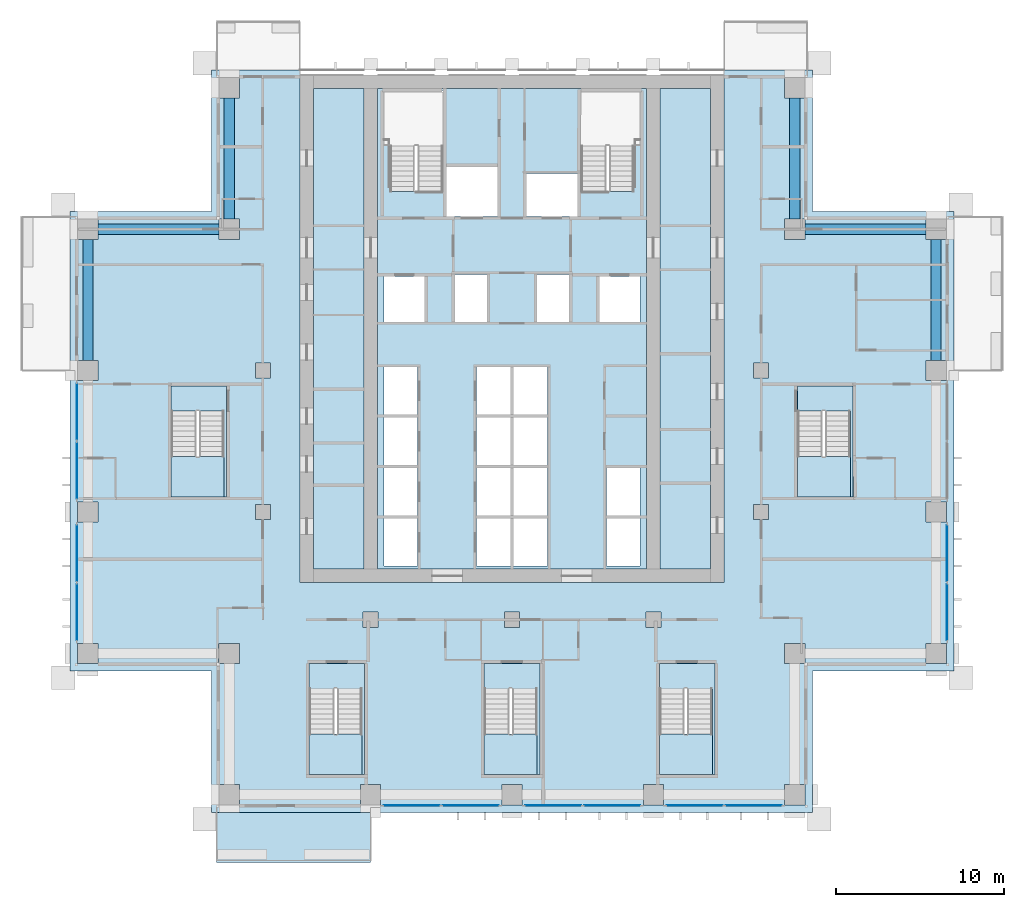
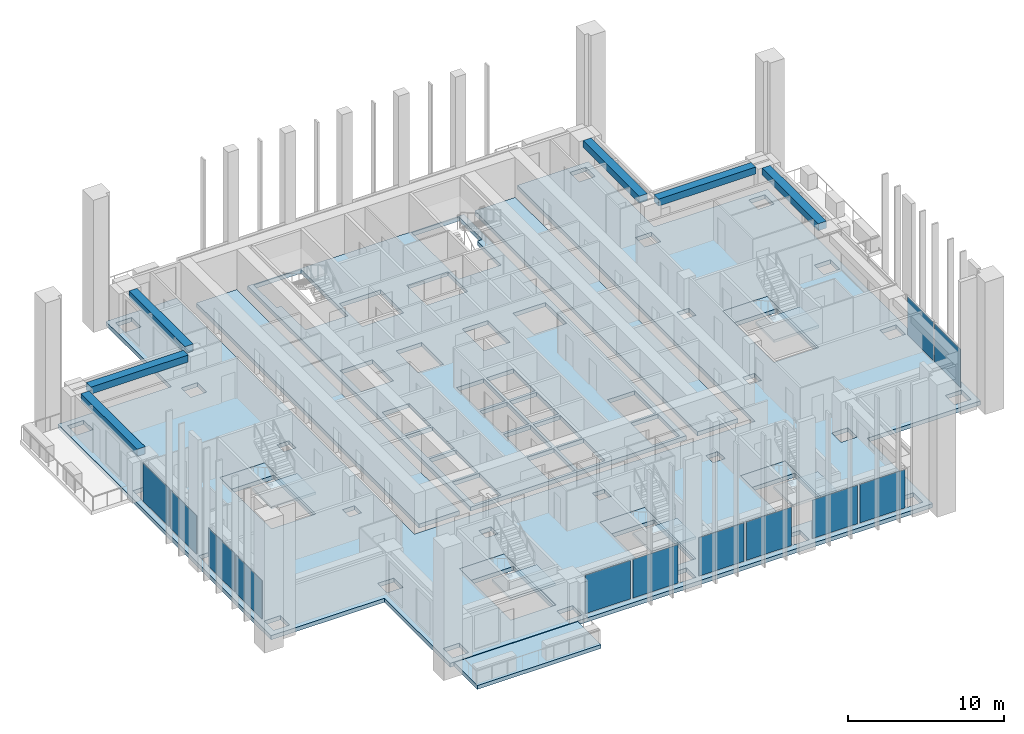
# One storey, part 5 of 18: 15 slabs, 12 plates, 6 beams, 11 elements without a shape of their own.
"""IFC4 building model written with IfcOpenShell, lengths in metres."""

from ifc_helpers import new_model, si_unit, direction, frame, origin, origin_2d, place, context, subcontext, project, spatial, polyline, rectangle, outline, extrude, material, layer, layer_set, material_profile, profile_set, type_object, element, aggregate, save


model = new_model("IFC4")

# Units and contexts
model_context = context("Model", 3, precision=1e-05, world=origin(), true_north=direction((0.0, 1.0)))
body_context = subcontext(model_context, "Body", "Model", "MODEL_VIEW")
ifc_project = project(units=[si_unit("LENGTHUNIT", "METRE"), si_unit("AREAUNIT", "SQUARE_METRE"), si_unit("VOLUMEUNIT", "CUBIC_METRE"), si_unit("PLANEANGLEUNIT", "RADIAN"), si_unit("MASSUNIT", "GRAM", prefix="KILO")], contexts=[model_context])

# Site, building, storey
site_placement = place(None, origin())
site = spatial("IfcSite", under=ifc_project, at=site_placement, CompositionType="ELEMENT")
building_placement = place(site_placement, origin())
building = spatial("IfcBuilding", under=site, at=building_placement, Name="Vermilion Ogive Tower", CompositionType="ELEMENT")
storey_placement = place(building_placement, frame((0.0, 0.0, 80.39990234375)))
storey = spatial("IfcBuildingStorey", under=building, at=storey_placement, Name="L19", CompositionType="ELEMENT", Elevation=80.39990234375)

# Beams
ifc_material_1 = material(Name="Concrete B45", Category="concrete")
ifc_material_profile = material_profile(ifc_material_1, rectangle(XDim=0.60009765625, YDim=0.550048828125, at=origin_2d()), Name="600 x 550")
ifc_profile_set = profile_set([ifc_material_profile], Name="Concrete B45")
beam_type = type_object("IfcBeamType", Name="Edge beam 600 x 550 B45", PredefinedType="BEAM", material=ifc_profile_set)
beam_1_placement = place(storey_placement, frame((25.199951171875, 4.800048828125, 2.85498046875), z_axis=(0.0, 1.0, 0.0), x_axis=(-1.0, 0.0, 0.0)))
element("IfcBeam", 1, at=beam_1_placement, inside=storey, type_object=beam_type, Name="L19-EB-9", PredefinedType="BEAM", context=body_context, shape_type="SweptSolid", body=[
    extrude(rectangle(XDim=0.60009765625, YDim=0.550048828125, at=origin_2d()), origin(), (0.0, 0.0, 1.0), 7.199951171875),
])
beam_2_placement = place(storey_placement, frame((24.60009765625, 12.60009765625, 2.85498046875), z_axis=(-1.0, 0.0, 0.0), x_axis=(0.0, -1.0, 0.0)))
element("IfcBeam", 2, at=beam_2_placement, inside=storey, type_object=beam_type, Name="L19-EB-10", PredefinedType="BEAM", context=body_context, shape_type="SweptSolid", body=[
    extrude(rectangle(XDim=0.60009765625, YDim=0.550048828125, at=origin_2d()), origin(), (0.0, 0.0, 1.0), 7.2001953125),
])
for number, where, z_axis, x_axis, name in (
    (3, (16.800048828125, 13.199951171875, 2.85498046875), (0.0, 1.0, 0.0), (-1.0, 0.0, 0.0), "L19-EB-11"),
    (4, (-16.800048828125, 20.39990234375, 2.85498046875), (0.0, -1.0, 0.0), (1.0, 0.0, 0.0), "L19-EB-12"),
):
    element("IfcBeam", number, at=place(storey_placement, frame(where, z_axis=z_axis, x_axis=x_axis)), inside=storey, type_object=beam_type, Name=name, PredefinedType="BEAM", context=body_context, shape_type="SweptSolid", body=[
        extrude(rectangle(XDim=0.60009765625, YDim=0.550048828125, at=origin_2d()), origin(), (0.0, 0.0, 1.0), 7.199951171875),
    ])
beam_3_placement = place(storey_placement, frame((-17.39990234375, 12.60009765625, 2.85498046875), z_axis=(-1.0, 0.0, 0.0), x_axis=(0.0, -1.0, 0.0)))
element("IfcBeam", 5, at=beam_3_placement, inside=storey, type_object=beam_type, Name="L19-EB-13", PredefinedType="BEAM", context=body_context, shape_type="SweptSolid", body=[
    extrude(rectangle(XDim=0.60009765625, YDim=0.550048828125, at=origin_2d()), origin(), (0.0, 0.0, 1.0), 7.2001953125),
])
beam_4_placement = place(storey_placement, frame((-25.199951171875, 12.0, 2.85498046875), z_axis=(0.0, -1.0, 0.0), x_axis=(1.0, 0.0, 0.0)))
element("IfcBeam", 6, at=beam_4_placement, inside=storey, type_object=beam_type, Name="L19-EB-14", PredefinedType="BEAM", context=body_context, shape_type="SweptSolid", body=[
    extrude(rectangle(XDim=0.60009765625, YDim=0.550048828125, at=origin_2d()), origin(), (0.0, 0.0, 1.0), 7.199951171875),
])

# Slab
ifc_material_2 = material(Name="Concrete B40", Category="concrete")
ifc_layer_1 = layer(ifc_material_2, 0.300048828125)
ifc_layer_set_1 = layer_set([ifc_layer_1], Name="Balcony slab")
slab_type_1 = type_object("IfcSlabType", Name="Balcony slab", PredefinedType="FLOOR", material=ifc_layer_set_1)
slab_1_placement = place(storey_placement, frame((0.0, 0.0, -0.33984375)))
element("IfcSlab", 7, at=slab_1_placement, inside=storey, type_object=slab_type_1, Name="Balcony slab S01", PredefinedType="FLOOR", context=body_context, shape_type="SweptSolid", body=[
    extrude(outline(polyline([(-17.550048828125, -25.030029296875), (-8.39990234375, -25.030029296875), (-8.39990234375, -22.050048828125), (-17.550048828125, -22.050048828125), (-17.550048828125, -25.030029296875)])), origin(), (0.0, 0.0, 1.0), 0.300048828125),
])

# Curtain wall, plates
ifc_material_3 = material(Name="Low-iron laminated glazing in aluminium frame", Category="aluminium")
curtain_wall_type = type_object("IfcCurtainWallType", Name="Curtain wall CW7", PredefinedType="NOTDEFINED", material=ifc_material_3)
curtain_wall_1_placement = place(storey_placement, origin())
curtain_wall_1 = element("IfcCurtainWall", 8, at=curtain_wall_1_placement, inside=storey, type_object=curtain_wall_type, Name="Glazed skin S2", PredefinedType="NOTDEFINED")
ifc_material_4 = material(Name="Low-iron laminated glazing in aluminium frame", Category="aluminium")
ifc_layer_2 = layer(ifc_material_4, 0.031982421875)
ifc_layer_set_2 = layer_set([ifc_layer_2], Name="CW7 glazing panel 32")
plate_type = type_object("IfcPlateType", Name="CW7 glazing panel 32", PredefinedType="CURTAIN_PANEL", material=ifc_layer_set_2)
plate_1_placement = place(storey_placement, frame((-5.955078125, -21.64990234375, 0.06005859375), z_axis=(0.0, 0.0, 1.0), x_axis=(1.0, 0.0, 0.0)))
plate_1 = element("IfcPlate", 9, at=plate_1_placement, type_object=plate_type, Name="CW7-S2 panel 1.1", PredefinedType="CURTAIN_PANEL", context=body_context, shape_type="SweptSolid", body=[
    extrude(rectangle(XDim=3.330078125, YDim=0.031982421875, at=origin_2d()), origin(), (0.0, 0.0, 1.0), 3.010009765625),
])
plate_2_placement = place(storey_placement, frame((-2.445068359375, -21.64990234375, 0.06005859375), z_axis=(0.0, 0.0, 1.0), x_axis=(1.0, 0.0, 0.0)))
plate_2 = element("IfcPlate", 10, at=plate_2_placement, type_object=plate_type, Name="CW7-S2 panel 2.1", PredefinedType="CURTAIN_PANEL", context=body_context, shape_type="SweptSolid", body=[
    extrude(rectangle(XDim=3.330078125, YDim=0.031982421875, at=origin_2d()), origin(), (0.0, 0.0, 1.0), 3.010009765625),
])
aggregate(curtain_wall_1, [plate_1, plate_2])

curtain_wall_2_placement = place(storey_placement, origin())
curtain_wall_2 = element("IfcCurtainWall", 11, at=curtain_wall_2_placement, inside=storey, type_object=curtain_wall_type, Name="Glazed skin S3", PredefinedType="NOTDEFINED")
plate_3_placement = place(storey_placement, frame((2.445068359375, -21.64990234375, 0.06005859375), z_axis=(0.0, 0.0, 1.0), x_axis=(1.0, 0.0, 0.0)))
plate_3 = element("IfcPlate", 12, at=plate_3_placement, type_object=plate_type, Name="CW7-S3 panel 1.1", PredefinedType="CURTAIN_PANEL", context=body_context, shape_type="SweptSolid", body=[
    extrude(rectangle(XDim=3.330078125, YDim=0.031982421875, at=origin_2d()), origin(), (0.0, 0.0, 1.0), 3.010009765625),
])
plate_4_placement = place(storey_placement, frame((5.955078125, -21.64990234375, 0.06005859375), z_axis=(0.0, 0.0, 1.0), x_axis=(1.0, 0.0, 0.0)))
plate_4 = element("IfcPlate", 13, at=plate_4_placement, type_object=plate_type, Name="CW7-S3 panel 2.1", PredefinedType="CURTAIN_PANEL", context=body_context, shape_type="SweptSolid", body=[
    extrude(rectangle(XDim=3.330078125, YDim=0.031982421875, at=origin_2d()), origin(), (0.0, 0.0, 1.0), 3.010009765625),
])
aggregate(curtain_wall_2, [plate_3, plate_4])

curtain_wall_3_placement = place(storey_placement, origin())
curtain_wall_3 = element("IfcCurtainWall", 14, at=curtain_wall_3_placement, inside=storey, type_object=curtain_wall_type, Name="Glazed skin S4", PredefinedType="NOTDEFINED")
plate_5_placement = place(storey_placement, frame((10.844970703125, -21.64990234375, 0.06005859375), z_axis=(0.0, 0.0, 1.0), x_axis=(1.0, 0.0, 0.0)))
plate_5 = element("IfcPlate", 15, at=plate_5_placement, type_object=plate_type, Name="CW7-S4 panel 1.1", PredefinedType="CURTAIN_PANEL", context=body_context, shape_type="SweptSolid", body=[
    extrude(rectangle(XDim=3.330078125, YDim=0.031982421875, at=origin_2d()), origin(), (0.0, 0.0, 1.0), 3.010009765625),
])
plate_6_placement = place(storey_placement, frame((14.35498046875, -21.64990234375, 0.06005859375), z_axis=(0.0, 0.0, 1.0), x_axis=(1.0, 0.0, 0.0)))
plate_6 = element("IfcPlate", 16, at=plate_6_placement, type_object=plate_type, Name="CW7-S4 panel 2.1", PredefinedType="CURTAIN_PANEL", context=body_context, shape_type="SweptSolid", body=[
    extrude(rectangle(XDim=3.330078125, YDim=0.031982421875, at=origin_2d()), origin(), (0.0, 0.0, 1.0), 3.010009765625),
])
aggregate(curtain_wall_3, [plate_5, plate_6])

curtain_wall_4_placement = place(storey_placement, origin())
curtain_wall_4 = element("IfcCurtainWall", 17, at=curtain_wall_4_placement, inside=storey, type_object=curtain_wall_type, Name="Glazed skin E1", PredefinedType="NOTDEFINED")
plate_7_placement = place(storey_placement, frame((25.85009765625, -10.155029296875, 0.06005859375), z_axis=(0.0, 0.0, 1.0), x_axis=(0.0, 1.0, 0.0)))
plate_7 = element("IfcPlate", 18, at=plate_7_placement, type_object=plate_type, Name="CW7-E1 panel 1.1", PredefinedType="CURTAIN_PANEL", context=body_context, shape_type="SweptSolid", body=[
    extrude(rectangle(XDim=3.330078125, YDim=0.031982421875, at=origin_2d()), origin(), (0.0, 0.0, 1.0), 3.010009765625),
])
plate_8_placement = place(storey_placement, frame((25.85009765625, -6.64501953125, 0.06005859375), z_axis=(0.0, 0.0, 1.0), x_axis=(0.0, 1.0, 0.0)))
plate_8 = element("IfcPlate", 19, at=plate_8_placement, type_object=plate_type, Name="CW7-E1 panel 2.1", PredefinedType="CURTAIN_PANEL", context=body_context, shape_type="SweptSolid", body=[
    extrude(rectangle(XDim=3.330078125, YDim=0.031982421875, at=origin_2d()), origin(), (0.0, 0.0, 1.0), 3.010009765625),
])
aggregate(curtain_wall_4, [plate_7, plate_8])

curtain_wall_5_placement = place(storey_placement, origin())
curtain_wall_5 = element("IfcCurtainWall", 20, at=curtain_wall_5_placement, inside=storey, type_object=curtain_wall_type, Name="Glazed skin W2", PredefinedType="NOTDEFINED")
plate_9_placement = place(storey_placement, frame((-25.85009765625, 1.7548828125, 0.06005859375), z_axis=(0.0, 0.0, 1.0), x_axis=(0.0, -1.0, 0.0)))
plate_9 = element("IfcPlate", 21, at=plate_9_placement, type_object=plate_type, Name="CW7-W2 panel 1.1", PredefinedType="CURTAIN_PANEL", context=body_context, shape_type="SweptSolid", body=[
    extrude(rectangle(XDim=3.330078125, YDim=0.031982421875, at=origin_2d()), origin(), (0.0, 0.0, 1.0), 3.010009765625),
])
plate_10_placement = place(storey_placement, frame((-25.85009765625, -1.7548828125, 0.06005859375), z_axis=(0.0, 0.0, 1.0), x_axis=(0.0, -1.0, 0.0)))
plate_10 = element("IfcPlate", 22, at=plate_10_placement, type_object=plate_type, Name="CW7-W2 panel 2.1", PredefinedType="CURTAIN_PANEL", context=body_context, shape_type="SweptSolid", body=[
    extrude(rectangle(XDim=3.330078125, YDim=0.031982421875, at=origin_2d()), origin(), (0.0, 0.0, 1.0), 3.010009765625),
])
aggregate(curtain_wall_5, [plate_9, plate_10])

curtain_wall_6_placement = place(storey_placement, origin())
curtain_wall_6 = element("IfcCurtainWall", 23, at=curtain_wall_6_placement, inside=storey, type_object=curtain_wall_type, Name="Glazed skin W3", PredefinedType="NOTDEFINED")
plate_11_placement = place(storey_placement, frame((-25.85009765625, -6.64501953125, 0.06005859375), z_axis=(0.0, 0.0, 1.0), x_axis=(0.0, -1.0, 0.0)))
plate_11 = element("IfcPlate", 24, at=plate_11_placement, type_object=plate_type, Name="CW7-W3 panel 1.1", PredefinedType="CURTAIN_PANEL", context=body_context, shape_type="SweptSolid", body=[
    extrude(rectangle(XDim=3.330078125, YDim=0.031982421875, at=origin_2d()), origin(), (0.0, 0.0, 1.0), 3.010009765625),
])
plate_12_placement = place(storey_placement, frame((-25.85009765625, -10.155029296875, 0.06005859375), z_axis=(0.0, 0.0, 1.0), x_axis=(0.0, -1.0, 0.0)))
plate_12 = element("IfcPlate", 25, at=plate_12_placement, type_object=plate_type, Name="CW7-W3 panel 2.1", PredefinedType="CURTAIN_PANEL", context=body_context, shape_type="SweptSolid", body=[
    extrude(rectangle(XDim=3.330078125, YDim=0.031982421875, at=origin_2d()), origin(), (0.0, 0.0, 1.0), 3.010009765625),
])
aggregate(curtain_wall_6, [plate_11, plate_12])

# Slabs
ifc_material_5 = material(Name="Concrete B40", Category="concrete")
ifc_layer_3 = layer(ifc_material_5, 0.320068359375)
ifc_layer_set_3 = layer_set([ifc_layer_3], Name="Core floor slab 320 B40")
slab_type_2 = type_object("IfcSlabType", Name="Core floor slab 320 B40", PredefinedType="FLOOR", material=ifc_layer_set_3)
slab_2_placement = place(storey_placement, frame((0.0, 0.0, -0.31982421875)))
element("IfcSlab", 26, at=slab_2_placement, inside=storey, type_object=slab_type_2, Name="L19-CK-FS1", PredefinedType="FLOOR", context=body_context, shape_type="SweptSolid", body=[
    extrude(outline(polyline([(-8.803955078125, 20.946044921875), (-8.803955078125, -7.595947265625), (-11.7958984375, -7.595947265625), (-11.7958984375, 20.946044921875), (-8.803955078125, 20.946044921875)])), origin(), (0.0, 0.0, 1.0), 0.31982421875),
])
slab_3_placement = place(storey_placement, frame((0.0, 0.0, -0.31982421875)))
element("IfcSlab", 27, at=slab_3_placement, inside=storey, type_object=slab_type_2, Name="L19-CK-FS2", PredefinedType="FLOOR", context=body_context, shape_type="SweptSolid", body=[
    extrude(outline(polyline([(-7.99609375, 20.946044921875), (-7.99609375, -7.595947265625), (7.99609375, -7.595947265625), (7.99609375, 20.946044921875), (-7.99609375, 20.946044921875)]), holes=[polyline([(-7.60009765625, -4.60009765625), (-5.60009765625, -4.60009765625), (-5.60009765625, -7.39990234375), (-7.60009765625, -7.39990234375), (-7.60009765625, -4.60009765625)]), polyline([(-2.10009765625, -4.60009765625), (-0.10009765625, -4.60009765625), (-0.10009765625, -7.39990234375), (-2.10009765625, -7.39990234375), (-2.10009765625, -4.60009765625)]), polyline([(-7.60009765625, -4.39990234375), (-7.60009765625, -1.60009765625), (-5.60009765625, -1.60009765625), (-5.60009765625, -4.39990234375), (-7.60009765625, -4.39990234375)]), polyline([(-2.10009765625, -1.60009765625), (-0.10009765625, -1.60009765625), (-0.10009765625, -4.39990234375), (-2.10009765625, -4.39990234375), (-2.10009765625, -1.60009765625)]), polyline([(-7.60009765625, -1.39990234375), (-7.60009765625, 1.39990234375), (-5.60009765625, 1.39990234375), (-5.60009765625, -1.39990234375), (-7.60009765625, -1.39990234375)]), polyline([(-2.10009765625, 1.39990234375), (-0.10009765625, 1.39990234375), (-0.10009765625, -1.39990234375), (-2.10009765625, -1.39990234375), (-2.10009765625, 1.39990234375)]), polyline([(-7.60009765625, 4.39990234375), (-5.60009765625, 4.39990234375), (-5.60009765625, 1.60009765625), (-7.60009765625, 1.60009765625), (-7.60009765625, 4.39990234375)]), polyline([(-2.10009765625, 4.39990234375), (-0.10009765625, 4.39990234375), (-0.10009765625, 1.60009765625), (-2.10009765625, 1.60009765625), (-2.10009765625, 4.39990234375)]), polyline([(-7.60009765625, 9.800048828125), (-5.199951171875, 9.800048828125), (-5.199951171875, 7.10009765625), (-7.60009765625, 7.10009765625), (-7.60009765625, 9.800048828125)]), polyline([(-3.39990234375, 9.89990234375), (-1.5, 9.89990234375), (-1.5, 7.10009765625), (-3.39990234375, 7.10009765625), (-3.39990234375, 9.89990234375)]), polyline([(-3.89990234375, 16.300048828125), (-0.85009765625, 16.300048828125), (-0.85009765625, 13.35009765625), (-3.89990234375, 13.35009765625), (-3.89990234375, 16.300048828125)]), polyline([(-7.60009765625, 17.929931640625), (-7.60009765625, 20.85009765625), (-4.10009765625, 20.85009765625), (-4.10009765625, 14.85205078125), (-5.60009765625, 14.85205078125), (-5.60009765625, 14.85009765625), (-5.75, 14.85009765625), (-5.75, 14.85205078125), (-7.25, 14.85205078125), (-7.25, 17.929931640625), (-7.60009765625, 17.929931640625)]), polyline([(0.10009765625, -4.60009765625), (2.10009765625, -4.60009765625), (2.10009765625, -7.39990234375), (0.10009765625, -7.39990234375), (0.10009765625, -4.60009765625)]), polyline([(5.60009765625, -4.60009765625), (7.60009765625, -4.60009765625), (7.60009765625, -7.39990234375), (5.60009765625, -7.39990234375), (5.60009765625, -4.60009765625)]), polyline([(0.10009765625, -1.60009765625), (2.10009765625, -1.60009765625), (2.10009765625, -4.39990234375), (0.10009765625, -4.39990234375), (0.10009765625, -1.60009765625)]), polyline([(5.60009765625, -1.60009765625), (7.60009765625, -1.60009765625), (7.60009765625, -4.39990234375), (5.60009765625, -4.39990234375), (5.60009765625, -1.60009765625)]), polyline([(0.10009765625, 1.39990234375), (2.10009765625, 1.39990234375), (2.10009765625, -1.39990234375), (0.10009765625, -1.39990234375), (0.10009765625, 1.39990234375)]), polyline([(0.10009765625, 4.39990234375), (2.10009765625, 4.39990234375), (2.10009765625, 1.60009765625), (0.10009765625, 1.60009765625), (0.10009765625, 4.39990234375)]), polyline([(5.199951171875, 9.800048828125), (7.60009765625, 9.800048828125), (7.60009765625, 7.10009765625), (5.199951171875, 7.10009765625), (5.199951171875, 9.800048828125)]), polyline([(1.5, 9.89990234375), (3.39990234375, 9.89990234375), (3.39990234375, 7.10009765625), (1.5, 7.10009765625), (1.5, 9.89990234375)]), polyline([(0.85009765625, 15.89990234375), (3.89990234375, 15.89990234375), (3.89990234375, 13.35009765625), (0.85009765625, 13.35009765625), (0.85009765625, 15.89990234375)]), polyline([(5.75, 14.85009765625), (5.60009765625, 14.85009765625), (5.60009765625, 14.85205078125), (4.10009765625, 14.85205078125), (4.10009765625, 17.929931640625), (4.074951171875, 17.929931640625), (4.074951171875, 20.85009765625), (7.60009765625, 20.85009765625), (7.60009765625, 17.929931640625), (7.25, 17.929931640625), (7.25, 14.85205078125), (5.75, 14.85205078125), (5.75, 14.85009765625)])]), origin(), (0.0, 0.0, 1.0), 0.31982421875),
])
slab_4_placement = place(storey_placement, frame((0.0, 0.0, -0.31982421875)))
element("IfcSlab", 28, at=slab_4_placement, inside=storey, type_object=slab_type_2, Name="L19-CK-FS3", PredefinedType="FLOOR", context=body_context, shape_type="SweptSolid", body=[
    extrude(outline(polyline([(11.7958984375, -7.595947265625), (8.803955078125, -7.595947265625), (8.803955078125, 20.946044921875), (11.7958984375, 20.946044921875), (11.7958984375, -7.595947265625)])), origin(), (0.0, 0.0, 1.0), 0.31982421875),
])
slab_5_placement = place(storey_placement, frame((0.0, 0.0, -0.31982421875)))
element("IfcSlab", 29, at=slab_5_placement, inside=storey, type_object=slab_type_2, Name="L19-SF-ST3-1", PredefinedType="FLOOR", context=body_context, shape_type="SweptSolid", body=[
    extrude(outline(polyline([(-12.050048828125, -13.199951171875), (-12.050048828125, -14.701904296875), (-10.550048828125, -14.701904296875), (-10.550048828125, -14.699951171875), (-10.39990234375, -14.699951171875), (-10.39990234375, -14.701904296875), (-8.89990234375, -14.701904296875), (-8.89990234375, -19.800048828125), (-8.75, -19.800048828125), (-8.75, -13.199951171875), (-12.050048828125, -13.199951171875)])), origin(), (0.0, 0.0, 1.0), 0.31982421875),
])
slab_6_placement = place(storey_placement, frame((0.0, 0.0, -0.31982421875)))
element("IfcSlab", 30, at=slab_6_placement, inside=storey, type_object=slab_type_2, Name="L19-SF-ST4-1", PredefinedType="FLOOR", context=body_context, shape_type="SweptSolid", body=[
    extrude(outline(polyline([(-1.64990234375, -13.199951171875), (-1.64990234375, -14.701904296875), (-0.14990234375, -14.701904296875), (-0.14990234375, -14.699951171875), (0.0, -14.699951171875), (0.0, -14.701904296875), (1.5, -14.701904296875), (1.5, -19.800048828125), (1.64990234375, -19.800048828125), (1.64990234375, -13.199951171875), (-1.64990234375, -13.199951171875)])), origin(), (0.0, 0.0, 1.0), 0.31982421875),
])
slab_7_placement = place(storey_placement, frame((0.0, 0.0, -0.31982421875)))
element("IfcSlab", 31, at=slab_7_placement, inside=storey, type_object=slab_type_2, Name="L19-SF-ST5-1", PredefinedType="FLOOR", context=body_context, shape_type="SweptSolid", body=[
    extrude(outline(polyline([(8.75, -13.199951171875), (8.75, -14.701904296875), (10.25, -14.701904296875), (10.25, -14.699951171875), (10.39990234375, -14.699951171875), (10.39990234375, -14.701904296875), (11.89990234375, -14.701904296875), (11.89990234375, -19.800048828125), (12.050048828125, -19.800048828125), (12.050048828125, -13.199951171875), (8.75, -13.199951171875)])), origin(), (0.0, 0.0, 1.0), 0.31982421875),
])
slab_8_placement = place(storey_placement, frame((0.0, 0.0, -0.31982421875)))
element("IfcSlab", 32, at=slab_8_placement, inside=storey, type_object=slab_type_2, Name="L19-SF-ST8-1", PredefinedType="FLOOR", context=body_context, shape_type="SweptSolid", body=[
    extrude(outline(polyline([(16.949951171875, 3.300048828125), (16.949951171875, 1.798095703125), (18.449951171875, 1.798095703125), (18.449951171875, 1.800048828125), (18.60009765625, 1.800048828125), (18.60009765625, 1.798095703125), (20.10009765625, 1.798095703125), (20.10009765625, -3.300048828125), (20.25, -3.300048828125), (20.25, 3.300048828125), (16.949951171875, 3.300048828125)])), origin(), (0.0, 0.0, 1.0), 0.31982421875),
])
slab_9_placement = place(storey_placement, frame((0.0, 0.0, -0.31982421875)))
element("IfcSlab", 33, at=slab_9_placement, inside=storey, type_object=slab_type_2, Name="L19-SF-ST9-1", PredefinedType="FLOOR", context=body_context, shape_type="SweptSolid", body=[
    extrude(outline(polyline([(-20.25, 3.300048828125), (-20.25, 1.798095703125), (-18.75, 1.798095703125), (-18.75, 1.800048828125), (-18.60009765625, 1.800048828125), (-18.60009765625, 1.798095703125), (-17.10009765625, 1.798095703125), (-17.10009765625, -3.300048828125), (-16.949951171875, -3.300048828125), (-16.949951171875, 3.300048828125), (-20.25, 3.300048828125)])), origin(), (0.0, 0.0, 1.0), 0.31982421875),
])
ifc_material_6 = material(Name="Concrete B45", Category="concrete")
ifc_layer_4 = layer(ifc_material_6, 0.320068359375)
ifc_layer_set_4 = layer_set([ifc_layer_4], Name="Post-tensioned flat plate 320 B45")
slab_type_3 = type_object("IfcSlabType", Name="Post-tensioned flat plate 320 B45", PredefinedType="FLOOR", material=ifc_layer_set_4)
slab_10_placement = place(storey_placement, frame((0.0, 0.0, -0.31982421875)))
element("IfcSlab", 34, at=slab_10_placement, inside=storey, type_object=slab_type_3, Name="L19-SL-1", PredefinedType="FLOOR", context=body_context, shape_type="SweptSolid", body=[
    extrude(outline(polyline([(-26.25, 13.64990234375), (-26.25, -13.64990234375), (-17.85009765625, -13.64990234375), (-17.85009765625, -22.050048828125), (17.85009765625, -22.050048828125), (17.85009765625, -13.64990234375), (26.25, -13.64990234375), (26.25, 13.64990234375), (17.85009765625, 13.64990234375), (17.85009765625, 22.050048828125), (12.60009765625, 22.050048828125), (12.60009765625, -8.39990234375), (-12.60009765625, -8.39990234375), (-12.60009765625, 22.050048828125), (-17.85009765625, 22.050048828125), (-17.85009765625, 13.64990234375), (-26.25, 13.64990234375)]), holes=[polyline([(24.60009765625, -3.60009765625), (25.800048828125, -3.60009765625), (25.800048828125, -4.800048828125), (24.60009765625, -4.800048828125), (24.60009765625, -3.60009765625)]), polyline([(24.60009765625, -12.0), (25.800048828125, -12.0), (25.800048828125, -13.199951171875), (24.60009765625, -13.199951171875), (24.60009765625, -12.0)]), polyline([(25.800048828125, 13.199951171875), (25.800048828125, 12.0), (24.60009765625, 12.0), (24.60009765625, 13.199951171875), (25.800048828125, 13.199951171875)]), polyline([(25.800048828125, 4.800048828125), (25.800048828125, 3.60009765625), (24.60009765625, 3.60009765625), (24.60009765625, 4.800048828125), (25.800048828125, 4.800048828125)]), polyline([(16.949951171875, 3.300048828125), (20.25, 3.300048828125), (20.25, -3.300048828125), (16.949951171875, -3.300048828125), (16.949951171875, 3.300048828125)]), polyline([(16.199951171875, -12.0), (17.39990234375, -12.0), (17.39990234375, -13.199951171875), (16.199951171875, -13.199951171875), (16.199951171875, -12.0)]), polyline([(17.39990234375, 21.60009765625), (17.39990234375, 20.39990234375), (16.199951171875, 20.39990234375), (16.199951171875, 21.60009765625), (17.39990234375, 21.60009765625)]), polyline([(16.199951171875, -20.39990234375), (17.39990234375, -20.39990234375), (17.39990234375, -21.60009765625), (16.199951171875, -21.60009765625), (16.199951171875, -20.39990234375)]), polyline([(16.199951171875, 13.199951171875), (17.39990234375, 13.199951171875), (17.39990234375, 12.0), (16.199951171875, 12.0), (16.199951171875, 13.199951171875)]), polyline([(14.35009765625, 4.64990234375), (15.25, 4.64990234375), (15.25, 3.75), (14.35009765625, 3.75), (14.35009765625, 4.64990234375)]), polyline([(15.25, -3.75), (15.25, -4.64990234375), (14.35009765625, -4.64990234375), (14.35009765625, -3.75), (15.25, -3.75)]), polyline([(12.050048828125, -13.199951171875), (12.050048828125, -19.800048828125), (8.699951171875, -19.800048828125), (8.699951171875, -17.780029296875), (8.75, -17.780029296875), (8.75, -13.199951171875), (12.050048828125, -13.199951171875)]), polyline([(7.800048828125, -20.39990234375), (9.0, -20.39990234375), (9.0, -21.60009765625), (7.800048828125, -21.60009765625), (7.800048828125, -20.39990234375)]), polyline([(8.85009765625, -10.14990234375), (8.85009765625, -11.050048828125), (7.949951171875, -11.050048828125), (7.949951171875, -10.14990234375), (8.85009765625, -10.14990234375)]), polyline([(-1.64990234375, -13.199951171875), (1.64990234375, -13.199951171875), (1.64990234375, -19.800048828125), (-1.64990234375, -19.800048828125), (-1.64990234375, -13.199951171875)]), polyline([(-0.60009765625, -20.39990234375), (0.60009765625, -20.39990234375), (0.60009765625, -21.60009765625), (-0.60009765625, -21.60009765625), (-0.60009765625, -20.39990234375)]), polyline([(-0.449951171875, -10.14990234375), (0.449951171875, -10.14990234375), (0.449951171875, -11.050048828125), (-0.449951171875, -11.050048828125), (-0.449951171875, -10.14990234375)]), polyline([(-9.0, -20.39990234375), (-7.800048828125, -20.39990234375), (-7.800048828125, -21.60009765625), (-9.0, -21.60009765625), (-9.0, -20.39990234375)]), polyline([(-8.85009765625, -10.14990234375), (-7.949951171875, -10.14990234375), (-7.949951171875, -11.050048828125), (-8.85009765625, -11.050048828125), (-8.85009765625, -10.14990234375)]), polyline([(-12.050048828125, -13.199951171875), (-8.75, -13.199951171875), (-8.75, -17.780029296875), (-8.699951171875, -17.780029296875), (-8.699951171875, -19.800048828125), (-12.050048828125, -19.800048828125), (-12.050048828125, -13.199951171875)]), polyline([(-15.25, 4.64990234375), (-14.35009765625, 4.64990234375), (-14.35009765625, 3.75), (-15.25, 3.75), (-15.25, 4.64990234375)]), polyline([(-14.35009765625, -3.75), (-14.35009765625, -4.64990234375), (-15.25, -4.64990234375), (-15.25, -3.75), (-14.35009765625, -3.75)]), polyline([(-17.39990234375, 13.199951171875), (-16.199951171875, 13.199951171875), (-16.199951171875, 12.0), (-17.39990234375, 12.0), (-17.39990234375, 13.199951171875)]), polyline([(-17.39990234375, -12.0), (-16.199951171875, -12.0), (-16.199951171875, -13.199951171875), (-17.39990234375, -13.199951171875), (-17.39990234375, -12.0)]), polyline([(-17.39990234375, -20.39990234375), (-16.199951171875, -20.39990234375), (-16.199951171875, -21.60009765625), (-17.39990234375, -21.60009765625), (-17.39990234375, -20.39990234375)]), polyline([(-16.199951171875, 21.60009765625), (-16.199951171875, 20.39990234375), (-17.39990234375, 20.39990234375), (-17.39990234375, 21.60009765625), (-16.199951171875, 21.60009765625)]), polyline([(-20.25, 3.300048828125), (-16.949951171875, 3.300048828125), (-16.949951171875, -3.300048828125), (-20.25, -3.300048828125), (-20.25, 3.300048828125)]), polyline([(-24.60009765625, 4.800048828125), (-24.60009765625, 3.60009765625), (-25.800048828125, 3.60009765625), (-25.800048828125, 4.800048828125), (-24.60009765625, 4.800048828125)]), polyline([(-25.800048828125, 13.199951171875), (-24.60009765625, 13.199951171875), (-24.60009765625, 12.0), (-25.800048828125, 12.0), (-25.800048828125, 13.199951171875)]), polyline([(-25.800048828125, -3.60009765625), (-24.60009765625, -3.60009765625), (-24.60009765625, -4.800048828125), (-25.800048828125, -4.800048828125), (-25.800048828125, -3.60009765625)]), polyline([(-25.800048828125, -12.0), (-24.60009765625, -12.0), (-24.60009765625, -13.199951171875), (-25.800048828125, -13.199951171875), (-25.800048828125, -12.0)])]), origin(), (0.0, 0.0, 1.0), 0.31982421875),
])

# Stair, slab
ifc_material_7 = material(Name="Concrete B40", Category="concrete")
stair_type = type_object("IfcStairType", Name="Exit stair 1500", PredefinedType="HALF_TURN_STAIR", material=ifc_material_7)
stair_1_placement = place(storey_placement, origin())
stair_1 = element("IfcStair", 35, at=stair_1_placement, inside=storey, type_object=stair_type, Name="L19 Exit Stair ST3", PredefinedType="HALF_TURN_STAIR")
ifc_material_8 = material(Name="Concrete B40", Category="concrete")
ifc_layer_5 = layer(ifc_material_8, 0.199951171875)
ifc_layer_set_5 = layer_set([ifc_layer_5], Name="Stair landing 200")
slab_type_4 = type_object("IfcSlabType", Name="Stair landing 200", PredefinedType="LANDING", material=ifc_layer_set_5)
slab_11_placement = place(storey_placement, frame((0.0, 0.0, 1.525146484375)))
slab_11 = element("IfcSlab", 36, at=slab_11_placement, type_object=slab_type_4, Name="ST3 landing 1", PredefinedType="LANDING", context=body_context, shape_type="SweptSolid", body=[
    extrude(outline(polyline([(-8.75, -17.39990234375), (-8.89990234375, -17.39990234375), (-8.89990234375, -17.39794921875), (-10.39990234375, -17.39794921875), (-10.39990234375, -17.39990234375), (-10.550048828125, -17.39990234375), (-10.550048828125, -17.39794921875), (-12.050048828125, -17.39794921875), (-12.050048828125, -19.800048828125), (-8.75, -19.800048828125), (-8.75, -17.39990234375)])), origin(), (0.0, 0.0, 1.0), 0.199951171875),
])
aggregate(stair_1, [slab_11])

stair_2_placement = place(storey_placement, origin())
stair_2 = element("IfcStair", 37, at=stair_2_placement, inside=storey, type_object=stair_type, Name="L19 Exit Stair ST4", PredefinedType="HALF_TURN_STAIR")
slab_12_placement = place(storey_placement, frame((0.0, 0.0, 1.525146484375)))
slab_12 = element("IfcSlab", 38, at=slab_12_placement, type_object=slab_type_4, Name="ST4 landing 1", PredefinedType="LANDING", context=body_context, shape_type="SweptSolid", body=[
    extrude(outline(polyline([(1.64990234375, -17.39990234375), (1.5, -17.39990234375), (1.5, -17.39794921875), (0.0, -17.39794921875), (0.0, -17.39990234375), (-0.14990234375, -17.39990234375), (-0.14990234375, -17.39794921875), (-1.64990234375, -17.39794921875), (-1.64990234375, -19.7998046875), (1.64990234375, -19.7998046875), (1.64990234375, -17.39990234375)])), origin(), (0.0, 0.0, 1.0), 0.199951171875),
])
aggregate(stair_2, [slab_12])

stair_3_placement = place(storey_placement, origin())
stair_3 = element("IfcStair", 39, at=stair_3_placement, inside=storey, type_object=stair_type, Name="L19 Exit Stair ST5", PredefinedType="HALF_TURN_STAIR")
slab_13_placement = place(storey_placement, frame((0.0, 0.0, 1.525146484375)))
slab_13 = element("IfcSlab", 40, at=slab_13_placement, type_object=slab_type_4, Name="ST5 landing 1", PredefinedType="LANDING", context=body_context, shape_type="SweptSolid", body=[
    extrude(outline(polyline([(12.050048828125, -17.39990234375), (11.89990234375, -17.39990234375), (11.89990234375, -17.39794921875), (10.39990234375, -17.39794921875), (10.39990234375, -17.39990234375), (10.25, -17.39990234375), (10.25, -17.39794921875), (8.75, -17.39794921875), (8.75, -19.800048828125), (12.050048828125, -19.800048828125), (12.050048828125, -17.39990234375)])), origin(), (0.0, 0.0, 1.0), 0.199951171875),
])
aggregate(stair_3, [slab_13])

stair_4_placement = place(storey_placement, origin())
stair_4 = element("IfcStair", 41, at=stair_4_placement, inside=storey, type_object=stair_type, Name="L19 Exit Stair ST8", PredefinedType="HALF_TURN_STAIR")
slab_14_placement = place(storey_placement, frame((0.0, 0.0, 1.525146484375)))
slab_14 = element("IfcSlab", 42, at=slab_14_placement, type_object=slab_type_4, Name="ST8 landing 1", PredefinedType="LANDING", context=body_context, shape_type="SweptSolid", body=[
    extrude(outline(polyline([(20.275146484375, -0.89990234375), (20.10009765625, -0.89990234375), (20.10009765625, -0.89794921875), (18.60009765625, -0.89794921875), (18.60009765625, -0.89990234375), (18.449951171875, -0.89990234375), (18.449951171875, -0.89794921875), (16.949951171875, -0.89794921875), (16.949951171875, -0.902099609375), (16.9501953125, -0.902099609375), (16.9501953125, -3.2998046875), (20.275146484375, -3.2998046875), (20.275146484375, -0.89990234375)])), origin(), (0.0, 0.0, 1.0), 0.199951171875),
])
aggregate(stair_4, [slab_14])

stair_5_placement = place(storey_placement, origin())
stair_5 = element("IfcStair", 43, at=stair_5_placement, inside=storey, type_object=stair_type, Name="L19 Exit Stair ST9", PredefinedType="HALF_TURN_STAIR")
slab_15_placement = place(storey_placement, frame((0.0, 0.0, 1.525146484375)))
slab_15 = element("IfcSlab", 44, at=slab_15_placement, type_object=slab_type_4, Name="ST9 landing 1", PredefinedType="LANDING", context=body_context, shape_type="SweptSolid", body=[
    extrude(outline(polyline([(-16.9501953125, -0.89990234375), (-17.10009765625, -0.89990234375), (-17.10009765625, -0.89794921875), (-18.60009765625, -0.89794921875), (-18.60009765625, -0.89990234375), (-18.75, -0.89990234375), (-18.75, -0.89794921875), (-20.25, -0.89794921875), (-20.25, -0.89990234375), (-20.25, -0.89990234375), (-20.25, -3.2998046875), (-16.9501953125, -3.2998046875), (-16.9501953125, -0.89990234375)])), origin(), (0.0, 0.0, 1.0), 0.199951171875),
])
aggregate(stair_5, [slab_15])

save(model, "model.ifc")
